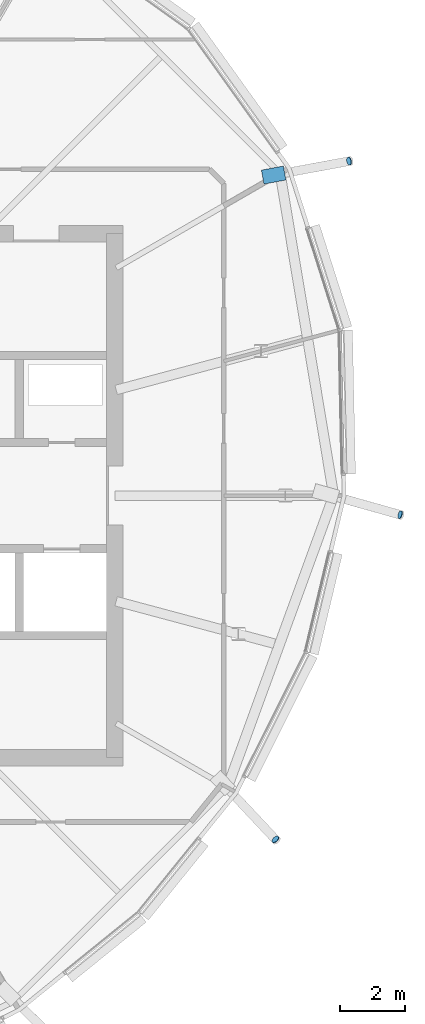
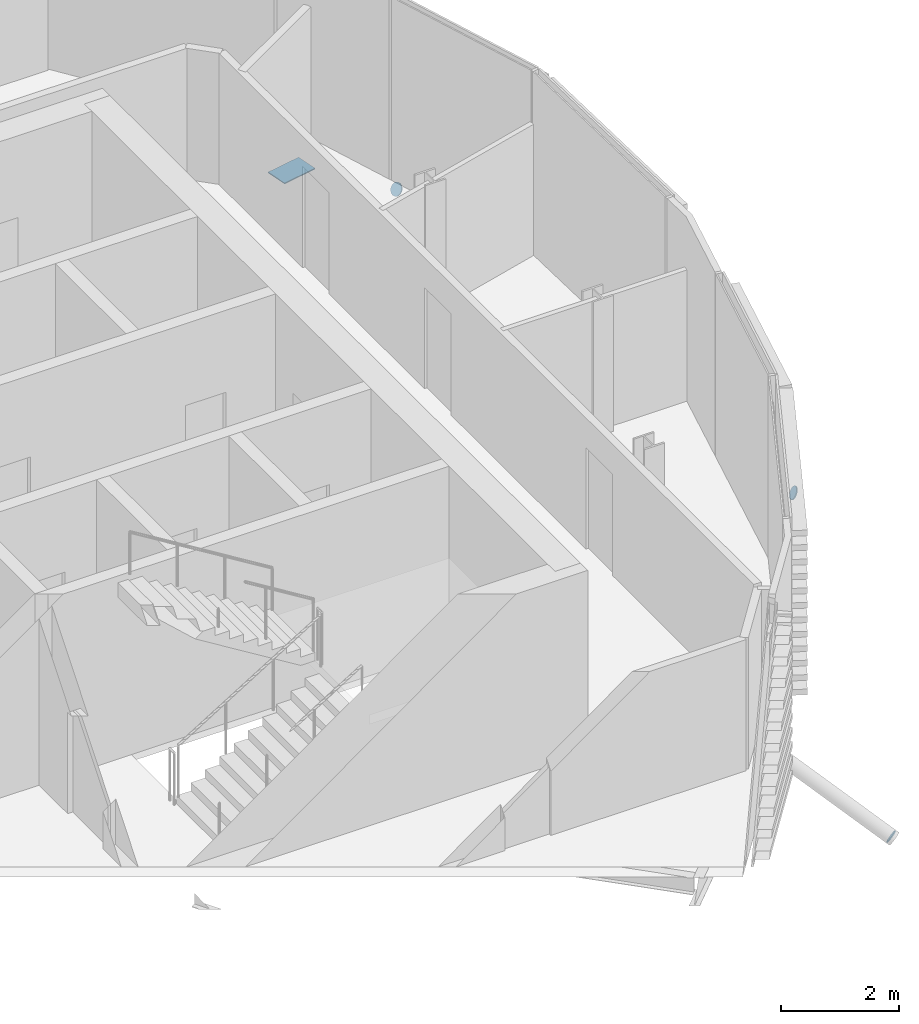
# One storey, part 30 of 36: 4 discrete accessories.
"""IFC4 building model written with IfcOpenShell, lengths in metres."""

from ifc_helpers import new_model, si_unit, direction, frame, origin, origin_2d, place, context, subcontext, project, spatial, polyline, rectangle, circle, outline, extrude, material, material_profile, profile_set, type_object, element, save


model = new_model("IFC4")

# Units and contexts
model_context = context("Model", 3, precision=1e-05, world=origin(), true_north=direction((0.0, 1.0)))
body_context = subcontext(model_context, "Body", "Model", "MODEL_VIEW")
ifc_project = project(units=[si_unit("LENGTHUNIT", "METRE"), si_unit("AREAUNIT", "SQUARE_METRE"), si_unit("VOLUMEUNIT", "CUBIC_METRE"), si_unit("PLANEANGLEUNIT", "RADIAN"), si_unit("MASSUNIT", "GRAM", prefix="KILO")], contexts=[model_context])

# Site, building, storey
site_placement = place(None, origin())
site = spatial("IfcSite", under=ifc_project, at=site_placement, CompositionType="ELEMENT")
building_placement = place(site_placement, origin())
building = spatial("IfcBuilding", under=site, at=building_placement, Name="Rimbun Link Towers", CompositionType="ELEMENT")
storey_placement = place(building_placement, frame((0.0, 0.0, 248.5)))
storey = spatial("IfcBuildingStorey", under=building, at=storey_placement, Name="L61", CompositionType="ELEMENT", Elevation=248.5)

# Discrete accessories
ifc_material_1 = material(Name="Steel S355J2H", Category="steel")
ifc_material_profile_1 = material_profile(ifc_material_1, circle(Radius=0.1240234375, at=origin_2d()), Name="PL D248")
ifc_profile_set_1 = profile_set([ifc_material_profile_1], Name="Steel S355J2H")
discrete_accessory_type_1 = type_object("IfcDiscreteAccessoryType", Name="Link foot sealing plate D248X20", PredefinedType="BRACKET", material=ifc_profile_set_1)
discrete_accessory_1_placement = place(storey_placement, frame((48.6484375, -10.493408203125, -1.985107421875), z_axis=(0.576567774677, -0.613369973061, -0.539765576293), x_axis=(0.728627668902, 0.684910008768, 0.0)))
element("IfcDiscreteAccessory", 1, at=discrete_accessory_1_placement, inside=storey, type_object=discrete_accessory_type_1, Name="Link foot sealing plate T2 L61 19", PredefinedType="BRACKET", context=body_context, shape_type="SweptSolid", body=[
    extrude(circle(Radius=0.1240234375, at=origin_2d()), origin(), (0.0, 0.0, 1.0), 0.02001953125),
])
discrete_accessory_2_placement = place(storey_placement, frame((52.452880859375, -0.58251953125, -2.197021484375), z_axis=(0.860369076969, -0.24235748647, -0.44836134997), x_axis=(0.271138152632, 0.962540441845, 0.0)))
element("IfcDiscreteAccessory", 2, at=discrete_accessory_2_placement, inside=storey, type_object=discrete_accessory_type_1, Name="Link foot sealing plate T2 L61 21", PredefinedType="BRACKET", context=body_context, shape_type="SweptSolid", body=[
    extrude(circle(Radius=0.1240234375, at=origin_2d()), origin(), (0.0, 0.0, 1.0), 0.020263671875),
])
discrete_accessory_3_placement = place(storey_placement, frame((50.894287109375, 10.210205078125, -1.89794921875), z_axis=(0.838042943892, 0.157892148849, -0.522258646194), x_axis=(-0.185148369866, 0.98271057852, 0.0)))
element("IfcDiscreteAccessory", 3, at=discrete_accessory_3_placement, inside=storey, type_object=discrete_accessory_type_1, Name="Link foot sealing plate T2 L61 23", PredefinedType="BRACKET", context=body_context, shape_type="SweptSolid", body=[
    extrude(circle(Radius=0.1240234375, at=origin_2d()), origin(), (0.0, 0.0, 1.0), 0.02001953125),
])
ifc_material_2 = material(Name="Steel S355J2H", Category="steel")
ifc_material_profile_2 = material_profile(ifc_material_2, rectangle(XDim=0.43310546875, YDim=0.43310546875, at=origin_2d()), Name="PL 433x433")
ifc_profile_set_2 = profile_set([ifc_material_profile_2], Name="Steel S355J2H")
discrete_accessory_type_2 = type_object("IfcDiscreteAccessoryType", Name="Link head end plate 433X20", PredefinedType="BRACKET", material=ifc_profile_set_2)
discrete_accessory_4_placement = place(storey_placement, frame((0.0, 0.0, -0.46337890625)))
element("IfcDiscreteAccessory", 4, at=discrete_accessory_4_placement, inside=storey, type_object=discrete_accessory_type_2, Name="Link head end plate T2 L61 23", PredefinedType="BRACKET", context=body_context, shape_type="SweptSolid", body=[
    extrude(outline(polyline([(48.302978515625, 9.513671875), (48.97314453125, 9.63671875), (48.89501953125, 10.062744140625), (48.224853515625, 9.939453125), (48.302978515625, 9.513671875)])), origin(), (0.0, 0.0, 1.0), 0.02001953125),
])

save(model, "model.ifc")
